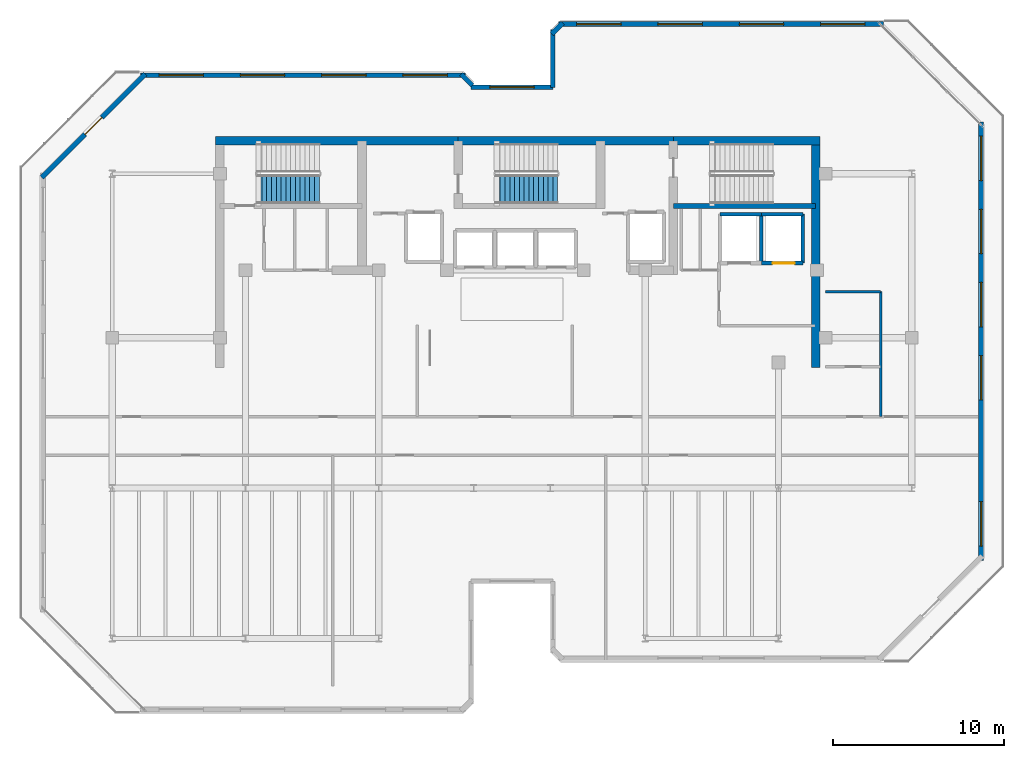
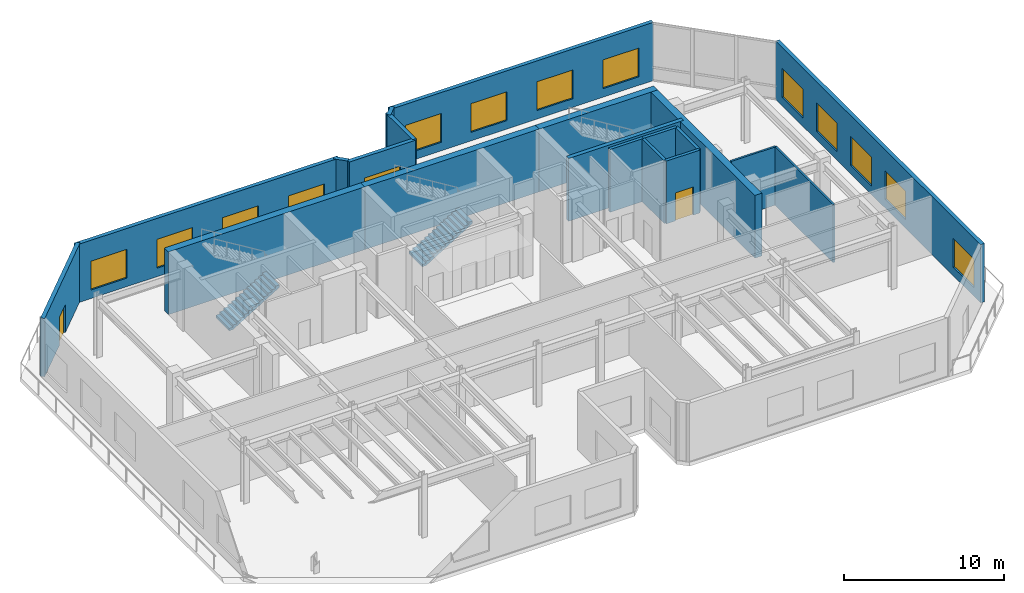
# One storey, part 8 of 12: 20 walls, 14 windows, 2 doors, 2 stair flights, 16 openings, 2 elements without a shape of their own.
"""IFC4 building model written with IfcOpenShell, lengths in metres."""

from ifc_helpers import new_model, si_unit, direction, frame, frame_2d, origin, place, context, subcontext, project, spatial, polyline, rectangle, outline, extrude, material, layer, layer_set, type_object, element, fill, aggregate, save


model = new_model("IFC4")

# Units and contexts
model_context = context("Model", 3, precision=1e-05, world=origin(), true_north=direction((0.0, 1.0)))
body_context = subcontext(model_context, "Body", "Model", "MODEL_VIEW")
ifc_project = project(units=[si_unit("LENGTHUNIT", "METRE"), si_unit("AREAUNIT", "SQUARE_METRE"), si_unit("VOLUMEUNIT", "CUBIC_METRE"), si_unit("PLANEANGLEUNIT", "RADIAN"), si_unit("MASSUNIT", "GRAM", prefix="KILO")], contexts=[model_context])

# Site, building, storey
site_placement = place(None, origin())
site = spatial("IfcSite", under=ifc_project, at=site_placement, CompositionType="ELEMENT")
building_placement = place(site_placement, origin())
building = spatial("IfcBuilding", under=site, at=building_placement, Name="Kestravale Grand Hotel", CompositionType="ELEMENT")
storey_placement = place(building_placement, frame((0.0, 0.0, 306.60009765625)))
storey = spatial("IfcBuildingStorey", under=building, at=storey_placement, Name="L76", CompositionType="ELEMENT", Elevation=306.60009765625)

# Walls
ifc_material_1 = material(Name="Concrete f'c 50 MPa", Category="concrete")
ifc_layer_1 = layer(ifc_material_1, 0.5)
ifc_layer_set_1 = layer_set([ifc_layer_1], Name="EW-CORE-500")
wall_type_1 = type_object("IfcWallType", Name="EW-CORE-500", PredefinedType="SHEAR", material=ifc_layer_set_1)
wall_1_placement = place(storey_placement, frame((21.64990234375, 40.320068359375, 0.0), z_axis=(0.0, 0.0, 1.0), x_axis=(1.0, 0.0, 0.0)))
element("IfcWall", 1, at=wall_1_placement, inside=storey, type_object=wall_type_1, Name="L76 core shear wall N1", PredefinedType="SHEAR", context=body_context, shape_type="SweptSolid", body=[
    extrude(rectangle(XDim=14.2001953125, YDim=0.5, at=frame_2d((7.10009765625, 0.0))), origin(), (0.0, 0.0, 1.0), 4.7998046875),
])
wall_2_placement = place(storey_placement, frame((35.85009765625, 40.320068359375, 0.0), z_axis=(0.0, 0.0, 1.0), x_axis=(1.0, 0.0, 0.0)))
element("IfcWall", 2, at=wall_2_placement, inside=storey, type_object=wall_type_1, Name="L76 core shear wall N2", PredefinedType="SHEAR", context=body_context, shape_type="SweptSolid", body=[
    extrude(rectangle(XDim=12.599853515625, YDim=0.5, at=frame_2d((6.2998046875, 0.0))), origin(), (0.0, 0.0, 1.0), 4.7998046875),
])
wall_3_placement = place(storey_placement, frame((48.449951171875, 40.320068359375, 0.0), z_axis=(0.0, 0.0, 1.0), x_axis=(1.0, 0.0, 0.0)))
element("IfcWall", 3, at=wall_3_placement, inside=storey, type_object=wall_type_1, Name="L76 core shear wall N3", PredefinedType="SHEAR", context=body_context, shape_type="SweptSolid", body=[
    extrude(rectangle(XDim=8.570068359375, YDim=0.5, at=frame_2d((4.28515625, 0.0))), origin(), (0.0, 0.0, 1.0), 4.7998046875),
])
wall_4_placement = place(storey_placement, frame((56.77001953125, 27.050048828125, 0.0), z_axis=(0.0, 0.0, 1.0), x_axis=(0.0, 1.0, 0.0)))
element("IfcWall", 4, at=wall_4_placement, inside=storey, type_object=wall_type_1, Name="L76 core shear wall E1", PredefinedType="SHEAR", context=body_context, shape_type="SweptSolid", body=[
    extrude(rectangle(XDim=13.52001953125, YDim=0.5, at=frame_2d((6.760009765625, 0.0))), origin(), (0.0, 0.0, 1.0), 4.7998046875),
])

# Wall, openings, windows
ifc_material_2 = material(Name="Precast concrete f'c 45 MPa", Category="concrete")
ifc_layer_2 = layer(ifc_material_2, 0.280029296875)
ifc_layer_set_2 = layer_set([ifc_layer_2], Name="EW-PREC-280")
wall_type_2 = type_object("IfcWallType", Name="EW-PREC-280", PredefinedType="SOLIDWALL", material=ifc_layer_set_2)
wall_5_placement = place(storey_placement, frame((66.4599609375, 15.760009765625, 0.0), z_axis=(0.0, 0.0, 1.0), x_axis=(0.0, 1.0, 0.0)))
wall_5 = element("IfcWall", 5, at=wall_5_placement, inside=storey, type_object=wall_type_2, Name="L76 fluted precast facade wall 9", PredefinedType="SOLIDWALL", context=body_context, shape_type="SweptSolid", body=[
    extrude(rectangle(XDim=25.679931640625, YDim=0.280029296875, at=frame_2d((12.83984375, 0.0))), origin(), (0.0, 0.0, 1.0), 4.449951171875),
])
opening_1_placement = place(wall_5_placement, frame((0.840087890625, 0.0, 0.64990234375)))
opening_1 = element("IfcOpeningElement", 6, at=opening_1_placement, cuts=wall_5, Name="Opening W-SKY-2600", PredefinedType="OPENING", context=body_context, shape_type="SweptSolid", body=[
    extrude(rectangle(XDim=2.60009765625, YDim=2.199951171875, at=frame_2d((1.300048828125, 1.10009765625))), frame((0.0, 0.14990234375, 0.0), z_axis=(0.0, -1.0, 0.0), x_axis=(1.0, 0.0, 0.0)), (0.0, 0.0, 1.0), 0.300048828125),
])
opening_2_placement = place(wall_5_placement, frame((9.39990234375, 0.0, 0.64990234375)))
opening_2 = element("IfcOpeningElement", 7, at=opening_2_placement, cuts=wall_5, Name="Opening W-SKY-2600", PredefinedType="OPENING", context=body_context, shape_type="SweptSolid", body=[
    extrude(rectangle(XDim=2.60009765625, YDim=2.199951171875, at=frame_2d((1.300048828125, 1.10009765625))), frame((0.0, 0.14990234375, 0.0), z_axis=(0.0, -1.0, 0.0), x_axis=(1.0, 0.0, 0.0)), (0.0, 0.0, 1.0), 0.300048828125),
])
opening_3_placement = place(wall_5_placement, frame((13.679931640625, 0.0, 0.64990234375)))
opening_3 = element("IfcOpeningElement", 8, at=opening_3_placement, cuts=wall_5, Name="Opening W-SKY-2600", PredefinedType="OPENING", context=body_context, shape_type="SweptSolid", body=[
    extrude(rectangle(XDim=2.60009765625, YDim=2.199951171875, at=frame_2d((1.300048828125, 1.10009765625))), frame((0.0, 0.14990234375, 0.0), z_axis=(0.0, -1.0, 0.0), x_axis=(1.0, 0.0, 0.0)), (0.0, 0.0, 1.0), 0.300048828125),
])
opening_4_placement = place(wall_5_placement, frame((17.9599609375, 0.0, 0.64990234375)))
opening_4 = element("IfcOpeningElement", 9, at=opening_4_placement, cuts=wall_5, Name="Opening W-SKY-2600", PredefinedType="OPENING", context=body_context, shape_type="SweptSolid", body=[
    extrude(rectangle(XDim=2.60009765625, YDim=2.199951171875, at=frame_2d((1.300048828125, 1.10009765625))), frame((0.0, 0.14990234375, 0.0), z_axis=(0.0, -1.0, 0.0), x_axis=(1.0, 0.0, 0.0)), (0.0, 0.0, 1.0), 0.300048828125),
])
opening_5_placement = place(wall_5_placement, frame((22.239990234375, 0.0, 0.64990234375)))
opening_5 = element("IfcOpeningElement", 10, at=opening_5_placement, cuts=wall_5, Name="Opening W-SKY-2600", PredefinedType="OPENING", context=body_context, shape_type="SweptSolid", body=[
    extrude(rectangle(XDim=2.60009765625, YDim=2.199951171875, at=frame_2d((1.300048828125, 1.10009765625))), frame((0.0, 0.14990234375, 0.0), z_axis=(0.0, -1.0, 0.0), x_axis=(1.0, 0.0, 0.0)), (0.0, 0.0, 1.0), 0.300048828125),
])
ifc_material_3 = material(Name="Insulated low-E double glazing in aluminium frame", Category="aluminium")
window_type = type_object("IfcWindowType", Name="W-SKY-2600", PartitioningType="TRIPLE_PANEL_VERTICAL", PredefinedType="WINDOW", material=ifc_material_3)
window_1_placement = place(opening_1_placement, origin())
window_1 = element("IfcWindow", 11, at=window_1_placement, inside=storey, type_object=window_type, Name="L76 exterior window 9.1", OverallHeight=2.199951171875, OverallWidth=2.60009765625, PartitioningType="SINGLE_PANEL", PredefinedType="WINDOW", context=body_context, shape_type="SweptSolid", body=[
    extrude(rectangle(XDim=2.60009765625, YDim=2.199951171875, at=frame_2d((1.300048828125, 1.10009765625))), frame((0.0, 0.030029296875, 0.0), z_axis=(0.0, -1.0, 0.0), x_axis=(1.0, 0.0, 0.0)), (0.0, 0.0, 1.0), 0.06005859375),
])
fill(opening_1, window_1)
window_2_placement = place(opening_2_placement, origin())
window_2 = element("IfcWindow", 12, at=window_2_placement, inside=storey, type_object=window_type, Name="L76 exterior window 9.2", OverallHeight=2.199951171875, OverallWidth=2.60009765625, PartitioningType="SINGLE_PANEL", PredefinedType="WINDOW", context=body_context, shape_type="SweptSolid", body=[
    extrude(rectangle(XDim=2.60009765625, YDim=2.199951171875, at=frame_2d((1.300048828125, 1.10009765625))), frame((0.0, 0.030029296875, 0.0), z_axis=(0.0, -1.0, 0.0), x_axis=(1.0, 0.0, 0.0)), (0.0, 0.0, 1.0), 0.06005859375),
])
fill(opening_2, window_2)
window_3_placement = place(opening_3_placement, origin())
window_3 = element("IfcWindow", 13, at=window_3_placement, inside=storey, type_object=window_type, Name="L76 exterior window 9.3", OverallHeight=2.199951171875, OverallWidth=2.60009765625, PartitioningType="SINGLE_PANEL", PredefinedType="WINDOW", context=body_context, shape_type="SweptSolid", body=[
    extrude(rectangle(XDim=2.60009765625, YDim=2.199951171875, at=frame_2d((1.300048828125, 1.10009765625))), frame((0.0, 0.030029296875, 0.0), z_axis=(0.0, -1.0, 0.0), x_axis=(1.0, 0.0, 0.0)), (0.0, 0.0, 1.0), 0.06005859375),
])
fill(opening_3, window_3)
window_4_placement = place(opening_4_placement, origin())
window_4 = element("IfcWindow", 14, at=window_4_placement, inside=storey, type_object=window_type, Name="L76 exterior window 9.4", OverallHeight=2.199951171875, OverallWidth=2.60009765625, PartitioningType="SINGLE_PANEL", PredefinedType="WINDOW", context=body_context, shape_type="SweptSolid", body=[
    extrude(rectangle(XDim=2.60009765625, YDim=2.199951171875, at=frame_2d((1.300048828125, 1.10009765625))), frame((0.0, 0.030029296875, 0.0), z_axis=(0.0, -1.0, 0.0), x_axis=(1.0, 0.0, 0.0)), (0.0, 0.0, 1.0), 0.06005859375),
])
fill(opening_4, window_4)
window_5_placement = place(opening_5_placement, origin())
window_5 = element("IfcWindow", 15, at=window_5_placement, inside=storey, type_object=window_type, Name="L76 exterior window 9.5", OverallHeight=2.199951171875, OverallWidth=2.60009765625, PartitioningType="SINGLE_PANEL", PredefinedType="WINDOW", context=body_context, shape_type="SweptSolid", body=[
    extrude(rectangle(XDim=2.60009765625, YDim=2.199951171875, at=frame_2d((1.300048828125, 1.10009765625))), frame((0.0, 0.030029296875, 0.0), z_axis=(0.0, -1.0, 0.0), x_axis=(1.0, 0.0, 0.0)), (0.0, 0.0, 1.0), 0.06005859375),
])
fill(opening_5, window_5)

wall_6_placement = place(storey_placement, frame((60.739990234375, 47.159912109375, 0.0), z_axis=(0.0, 0.0, 1.0), x_axis=(-1.0, 0.0, 0.0)))
wall_6 = element("IfcWall", 16, at=wall_6_placement, inside=storey, type_object=wall_type_2, Name="L76 fluted precast facade wall 11", PredefinedType="SOLIDWALL", context=body_context, shape_type="SweptSolid", body=[
    extrude(rectangle(XDim=19.030029296875, YDim=0.280029296875, at=frame_2d((9.51513671875, 0.0))), origin(), (0.0, 0.0, 1.0), 4.449951171875),
])
opening_6_placement = place(wall_6_placement, frame((1.078857421875, 0.0, 0.64990234375)))
opening_6 = element("IfcOpeningElement", 17, at=opening_6_placement, cuts=wall_6, Name="Opening W-SKY-2600", PredefinedType="OPENING", context=body_context, shape_type="SweptSolid", body=[
    extrude(rectangle(XDim=2.60009765625, YDim=2.199951171875, at=frame_2d((1.300048828125, 1.10009765625))), frame((0.0, 0.14990234375, 0.0), z_axis=(0.0, -1.0, 0.0), x_axis=(1.0, 0.0, 0.0)), (0.0, 0.0, 1.0), 0.300048828125),
])
opening_7_placement = place(wall_6_placement, frame((5.836181640625, 0.0, 0.64990234375)))
opening_7 = element("IfcOpeningElement", 18, at=opening_7_placement, cuts=wall_6, Name="Opening W-SKY-2600", PredefinedType="OPENING", context=body_context, shape_type="SweptSolid", body=[
    extrude(rectangle(XDim=2.60009765625, YDim=2.199951171875, at=frame_2d((1.300048828125, 1.10009765625))), frame((0.0, 0.14990234375, 0.0), z_axis=(0.0, -1.0, 0.0), x_axis=(1.0, 0.0, 0.0)), (0.0, 0.0, 1.0), 0.300048828125),
])
opening_8_placement = place(wall_6_placement, frame((10.59375, 0.0, 0.64990234375)))
opening_8 = element("IfcOpeningElement", 19, at=opening_8_placement, cuts=wall_6, Name="Opening W-SKY-2600", PredefinedType="OPENING", context=body_context, shape_type="SweptSolid", body=[
    extrude(rectangle(XDim=2.60009765625, YDim=2.199951171875, at=frame_2d((1.300048828125, 1.10009765625))), frame((0.0, 0.14990234375, 0.0), z_axis=(0.0, -1.0, 0.0), x_axis=(1.0, 0.0, 0.0)), (0.0, 0.0, 1.0), 0.300048828125),
])
opening_9_placement = place(wall_6_placement, frame((15.351318359375, 0.0, 0.64990234375)))
opening_9 = element("IfcOpeningElement", 20, at=opening_9_placement, cuts=wall_6, Name="Opening W-SKY-2600", PredefinedType="OPENING", context=body_context, shape_type="SweptSolid", body=[
    extrude(rectangle(XDim=2.60009765625, YDim=2.199951171875, at=frame_2d((1.300048828125, 1.10009765625))), frame((0.0, 0.14990234375, 0.0), z_axis=(0.0, -1.0, 0.0), x_axis=(1.0, 0.0, 0.0)), (0.0, 0.0, 1.0), 0.300048828125),
])
window_6_placement = place(opening_6_placement, origin())
window_6 = element("IfcWindow", 21, at=window_6_placement, inside=storey, type_object=window_type, Name="L76 exterior window 11.1", OverallHeight=2.199951171875, OverallWidth=2.60009765625, PartitioningType="SINGLE_PANEL", PredefinedType="WINDOW", context=body_context, shape_type="SweptSolid", body=[
    extrude(rectangle(XDim=2.60009765625, YDim=2.199951171875, at=frame_2d((1.300048828125, 1.10009765625))), frame((0.0, 0.030029296875, 0.0), z_axis=(0.0, -1.0, 0.0), x_axis=(1.0, 0.0, 0.0)), (0.0, 0.0, 1.0), 0.06005859375),
])
fill(opening_6, window_6)
window_7_placement = place(opening_7_placement, origin())
window_7 = element("IfcWindow", 22, at=window_7_placement, inside=storey, type_object=window_type, Name="L76 exterior window 11.2", OverallHeight=2.199951171875, OverallWidth=2.60009765625, PartitioningType="SINGLE_PANEL", PredefinedType="WINDOW", context=body_context, shape_type="SweptSolid", body=[
    extrude(rectangle(XDim=2.60009765625, YDim=2.199951171875, at=frame_2d((1.300048828125, 1.10009765625))), frame((0.0, 0.030029296875, 0.0), z_axis=(0.0, -1.0, 0.0), x_axis=(1.0, 0.0, 0.0)), (0.0, 0.0, 1.0), 0.06005859375),
])
fill(opening_7, window_7)
window_8_placement = place(opening_8_placement, origin())
window_8 = element("IfcWindow", 23, at=window_8_placement, inside=storey, type_object=window_type, Name="L76 exterior window 11.3", OverallHeight=2.199951171875, OverallWidth=2.60009765625, PartitioningType="SINGLE_PANEL", PredefinedType="WINDOW", context=body_context, shape_type="SweptSolid", body=[
    extrude(rectangle(XDim=2.60009765625, YDim=2.199951171875, at=frame_2d((1.300048828125, 1.10009765625))), frame((0.0, 0.030029296875, 0.0), z_axis=(0.0, -1.0, 0.0), x_axis=(1.0, 0.0, 0.0)), (0.0, 0.0, 1.0), 0.06005859375),
])
fill(opening_8, window_8)
window_9_placement = place(opening_9_placement, origin())
window_9 = element("IfcWindow", 24, at=window_9_placement, inside=storey, type_object=window_type, Name="L76 exterior window 11.4", OverallHeight=2.199951171875, OverallWidth=2.60009765625, PartitioningType="SINGLE_PANEL", PredefinedType="WINDOW", context=body_context, shape_type="SweptSolid", body=[
    extrude(rectangle(XDim=2.60009765625, YDim=2.199951171875, at=frame_2d((1.300048828125, 1.10009765625))), frame((0.0, 0.030029296875, 0.0), z_axis=(0.0, -1.0, 0.0), x_axis=(1.0, 0.0, 0.0)), (0.0, 0.0, 1.0), 0.06005859375),
])
fill(opening_9, window_9)

# Walls
wall_7_placement = place(storey_placement, frame((41.977294921875, 47.229248046875, 0.0), z_axis=(0.0, 0.0, 1.0), x_axis=(-0.707106781187, -0.707106781187, 0.0)))
element("IfcWall", 25, at=wall_7_placement, inside=storey, type_object=wall_type_2, Name="L76 fluted precast facade wall 12", PredefinedType="SOLIDWALL", context=body_context, shape_type="SweptSolid", body=[
    extrude(rectangle(XDim=0.928466796875, YDim=0.280029296875, at=frame_2d((0.46435546875, 0.0))), origin(), (0.0, 0.0, 1.0), 4.449951171875),
])
wall_8_placement = place(storey_placement, frame((41.389892578125, 46.840087890625, 0.0), z_axis=(0.0, 0.0, 1.0), x_axis=(0.0, -1.0, 0.0)))
element("IfcWall", 26, at=wall_8_placement, inside=storey, type_object=wall_type_2, Name="L76 fluted precast facade wall 13", PredefinedType="SOLIDWALL", context=body_context, shape_type="SweptSolid", body=[
    extrude(rectangle(XDim=3.380126953125, YDim=0.280029296875, at=frame_2d((1.68994140625, 0.0))), origin(), (0.0, 0.0, 1.0), 4.449951171875),
])

# Wall, opening, window
wall_9_placement = place(storey_placement, frame((41.389892578125, 43.4599609375, 0.0), z_axis=(0.0, 0.0, 1.0), x_axis=(-1.0, 0.0, 0.0)))
wall_9 = element("IfcWall", 27, at=wall_9_placement, inside=storey, type_object=wall_type_2, Name="L76 fluted precast facade wall 14", PredefinedType="SOLIDWALL", context=body_context, shape_type="SweptSolid", body=[
    extrude(rectangle(XDim=4.77978515625, YDim=0.280029296875, at=frame_2d((2.389892578125, 0.0))), origin(), (0.0, 0.0, 1.0), 4.449951171875),
])
opening_10_placement = place(wall_9_placement, frame((1.090087890625, 0.0, 0.64990234375)))
opening_10 = element("IfcOpeningElement", 28, at=opening_10_placement, cuts=wall_9, Name="Opening W-SKY-2600", PredefinedType="OPENING", context=body_context, shape_type="SweptSolid", body=[
    extrude(rectangle(XDim=2.60009765625, YDim=2.199951171875, at=frame_2d((1.300048828125, 1.10009765625))), frame((0.0, 0.14990234375, 0.0), z_axis=(0.0, -1.0, 0.0), x_axis=(1.0, 0.0, 0.0)), (0.0, 0.0, 1.0), 0.300048828125),
])
window_10_placement = place(opening_10_placement, origin())
window_10 = element("IfcWindow", 29, at=window_10_placement, inside=storey, type_object=window_type, Name="L76 exterior window 14.1", OverallHeight=2.199951171875, OverallWidth=2.60009765625, PartitioningType="SINGLE_PANEL", PredefinedType="WINDOW", context=body_context, shape_type="SweptSolid", body=[
    extrude(rectangle(XDim=2.60009765625, YDim=2.199951171875, at=frame_2d((1.300048828125, 1.10009765625))), frame((0.0, 0.030029296875, 0.0), z_axis=(0.0, -1.0, 0.0), x_axis=(1.0, 0.0, 0.0)), (0.0, 0.0, 1.0), 0.06005859375),
])
fill(opening_10, window_10)

# Wall
wall_10_placement = place(storey_placement, frame((36.67919921875, 43.57275390625, 0.0), z_axis=(0.0, 0.0, 1.0), x_axis=(-0.707106781187, 0.707106781187, 0.0)))
element("IfcWall", 30, at=wall_10_placement, inside=storey, type_object=wall_type_2, Name="L76 fluted precast facade wall 16", PredefinedType="SOLIDWALL", context=body_context, shape_type="SweptSolid", body=[
    extrude(rectangle(XDim=0.928466796875, YDim=0.280029296875, at=frame_2d((0.46435546875, 0.0))), origin(), (0.0, 0.0, 1.0), 4.449951171875),
])

# Wall, openings, windows
wall_11_placement = place(storey_placement, frame((36.2900390625, 44.159912109375, 0.0), z_axis=(0.0, 0.0, 1.0), x_axis=(-1.0, 0.0, 0.0)))
wall_11 = element("IfcWall", 31, at=wall_11_placement, inside=storey, type_object=wall_type_2, Name="L76 fluted precast facade wall 17", PredefinedType="SOLIDWALL", context=body_context, shape_type="SweptSolid", body=[
    extrude(rectangle(XDim=19.030029296875, YDim=0.280029296875, at=frame_2d((9.51513671875, 0.0))), origin(), (0.0, 0.0, 1.0), 4.449951171875),
])
opening_11_placement = place(wall_11_placement, frame((1.07861328125, 0.0, 0.64990234375)))
opening_11 = element("IfcOpeningElement", 32, at=opening_11_placement, cuts=wall_11, Name="Opening W-SKY-2600", PredefinedType="OPENING", context=body_context, shape_type="SweptSolid", body=[
    extrude(rectangle(XDim=2.60009765625, YDim=2.199951171875, at=frame_2d((1.300048828125, 1.10009765625))), frame((0.0, 0.14990234375, 0.0), z_axis=(0.0, -1.0, 0.0), x_axis=(1.0, 0.0, 0.0)), (0.0, 0.0, 1.0), 0.300048828125),
])
opening_12_placement = place(wall_11_placement, frame((5.836181640625, 0.0, 0.64990234375)))
opening_12 = element("IfcOpeningElement", 33, at=opening_12_placement, cuts=wall_11, Name="Opening W-SKY-2600", PredefinedType="OPENING", context=body_context, shape_type="SweptSolid", body=[
    extrude(rectangle(XDim=2.60009765625, YDim=2.199951171875, at=frame_2d((1.300048828125, 1.10009765625))), frame((0.0, 0.14990234375, 0.0), z_axis=(0.0, -1.0, 0.0), x_axis=(1.0, 0.0, 0.0)), (0.0, 0.0, 1.0), 0.300048828125),
])
opening_13_placement = place(wall_11_placement, frame((10.59375, 0.0, 0.64990234375)))
opening_13 = element("IfcOpeningElement", 34, at=opening_13_placement, cuts=wall_11, Name="Opening W-SKY-2600", PredefinedType="OPENING", context=body_context, shape_type="SweptSolid", body=[
    extrude(rectangle(XDim=2.60009765625, YDim=2.199951171875, at=frame_2d((1.300048828125, 1.10009765625))), frame((0.0, 0.14990234375, 0.0), z_axis=(0.0, -1.0, 0.0), x_axis=(1.0, 0.0, 0.0)), (0.0, 0.0, 1.0), 0.300048828125),
])
opening_14_placement = place(wall_11_placement, frame((15.351318359375, 0.0, 0.64990234375)))
opening_14 = element("IfcOpeningElement", 35, at=opening_14_placement, cuts=wall_11, Name="Opening W-SKY-2600", PredefinedType="OPENING", context=body_context, shape_type="SweptSolid", body=[
    extrude(rectangle(XDim=2.60009765625, YDim=2.199951171875, at=frame_2d((1.300048828125, 1.10009765625))), frame((0.0, 0.14990234375, 0.0), z_axis=(0.0, -1.0, 0.0), x_axis=(1.0, 0.0, 0.0)), (0.0, 0.0, 1.0), 0.300048828125),
])
window_11_placement = place(opening_11_placement, origin())
window_11 = element("IfcWindow", 36, at=window_11_placement, inside=storey, type_object=window_type, Name="L76 exterior window 17.1", OverallHeight=2.199951171875, OverallWidth=2.60009765625, PartitioningType="SINGLE_PANEL", PredefinedType="WINDOW", context=body_context, shape_type="SweptSolid", body=[
    extrude(rectangle(XDim=2.60009765625, YDim=2.199951171875, at=frame_2d((1.300048828125, 1.10009765625))), frame((0.0, 0.030029296875, 0.0), z_axis=(0.0, -1.0, 0.0), x_axis=(1.0, 0.0, 0.0)), (0.0, 0.0, 1.0), 0.06005859375),
])
fill(opening_11, window_11)
window_12_placement = place(opening_12_placement, origin())
window_12 = element("IfcWindow", 37, at=window_12_placement, inside=storey, type_object=window_type, Name="L76 exterior window 17.2", OverallHeight=2.199951171875, OverallWidth=2.60009765625, PartitioningType="SINGLE_PANEL", PredefinedType="WINDOW", context=body_context, shape_type="SweptSolid", body=[
    extrude(rectangle(XDim=2.60009765625, YDim=2.199951171875, at=frame_2d((1.300048828125, 1.10009765625))), frame((0.0, 0.030029296875, 0.0), z_axis=(0.0, -1.0, 0.0), x_axis=(1.0, 0.0, 0.0)), (0.0, 0.0, 1.0), 0.06005859375),
])
fill(opening_12, window_12)
window_13_placement = place(opening_13_placement, origin())
window_13 = element("IfcWindow", 38, at=window_13_placement, inside=storey, type_object=window_type, Name="L76 exterior window 17.3", OverallHeight=2.199951171875, OverallWidth=2.60009765625, PartitioningType="SINGLE_PANEL", PredefinedType="WINDOW", context=body_context, shape_type="SweptSolid", body=[
    extrude(rectangle(XDim=2.60009765625, YDim=2.199951171875, at=frame_2d((1.300048828125, 1.10009765625))), frame((0.0, 0.030029296875, 0.0), z_axis=(0.0, -1.0, 0.0), x_axis=(1.0, 0.0, 0.0)), (0.0, 0.0, 1.0), 0.06005859375),
])
fill(opening_13, window_13)
window_14_placement = place(opening_14_placement, origin())
window_14 = element("IfcWindow", 39, at=window_14_placement, inside=storey, type_object=window_type, Name="L76 exterior window 17.4", OverallHeight=2.199951171875, OverallWidth=2.60009765625, PartitioningType="SINGLE_PANEL", PredefinedType="WINDOW", context=body_context, shape_type="SweptSolid", body=[
    extrude(rectangle(XDim=2.60009765625, YDim=2.199951171875, at=frame_2d((1.300048828125, 1.10009765625))), frame((0.0, 0.030029296875, 0.0), z_axis=(0.0, -1.0, 0.0), x_axis=(1.0, 0.0, 0.0)), (0.0, 0.0, 1.0), 0.06005859375),
])
fill(opening_14, window_14)

# Wall, opening, door
wall_12_placement = place(storey_placement, frame((17.52734375, 44.229248046875, 0.0), z_axis=(0.0, 0.0, 1.0), x_axis=(-0.707106781187, -0.707106781187, 0.0)))
wall_12 = element("IfcWall", 40, at=wall_12_placement, inside=storey, type_object=wall_type_2, Name="L76 fluted precast facade wall 18", PredefinedType="SOLIDWALL", context=body_context, shape_type="SweptSolid", body=[
    extrude(rectangle(XDim=8.5654296875, YDim=0.280029296875, at=frame_2d((4.28271484375, 0.0))), origin(), (0.0, 0.0, 1.0), 4.449951171875),
])
opening_15_placement = place(wall_12_placement, frame((3.582763671875, 0.0, 0.0)))
opening_15 = element("IfcOpeningElement", 41, at=opening_15_placement, cuts=wall_12, Name="Opening D-TERR-1400", PredefinedType="OPENING", context=body_context, shape_type="SweptSolid", body=[
    extrude(rectangle(XDim=1.39990234375, YDim=2.14990234375, at=frame_2d((0.699951171875, 1.074951171875))), frame((0.0, 0.14990234375, 0.0), z_axis=(0.0, -1.0, 0.0), x_axis=(1.0, 0.0, 0.0)), (0.0, 0.0, 1.0), 0.300048828125),
])
ifc_material_4 = material(Name="Insulated glazed champagne-bronze aluminium door", Category="aluminium")
door_type_1 = type_object("IfcDoorType", Name="D-TERR-1400", OperationType="NOTDEFINED", PredefinedType="DOOR", material=ifc_material_4)
door_1_placement = place(opening_15_placement, origin())
door_1 = element("IfcDoor", 42, at=door_1_placement, inside=storey, type_object=door_type_1, Name="L76 outdoor garden terrace door", OperationType="DOUBLE_DOOR_SINGLE_SWING", OverallHeight=2.14990234375, OverallWidth=1.39990234375, PredefinedType="DOOR", context=body_context, shape_type="SweptSolid", body=[
    extrude(rectangle(XDim=1.39990234375, YDim=2.14990234375, at=frame_2d((0.699951171875, 1.074951171875))), frame((0.0, 0.02490234375, 0.0), z_axis=(0.0, -1.0, 0.0), x_axis=(1.0, 0.0, 0.0)), (0.0, 0.0, 1.0), 0.050048828125),
])
fill(opening_15, door_1)

# Walls
ifc_material_5 = material(Name="Concrete f'c 45 MPa", Category="concrete")
ifc_layer_3 = layer(ifc_material_5, 0.300048828125)
ifc_layer_set_3 = layer_set([ifc_layer_3], Name="EW-STAIR-300")
wall_type_3 = type_object("IfcWallType", Name="EW-STAIR-300", PredefinedType="SHEAR", material=ifc_layer_set_3)
wall_13_placement = place(storey_placement, frame((48.449951171875, 36.52001953125, 0.0), z_axis=(0.0, 0.0, 1.0), x_axis=(1.0, 0.0, 0.0)))
element("IfcWall", 43, at=wall_13_placement, inside=storey, type_object=wall_type_3, Name="L76 stair enclosure shear wall SST3", PredefinedType="SHEAR", context=body_context, shape_type="SweptSolid", body=[
    extrude(rectangle(XDim=8.320068359375, YDim=0.300048828125, at=frame_2d((4.16015625, 0.0))), origin(), (0.0, 0.0, 1.0), 4.7998046875),
])
ifc_material_6 = material(Name="Moisture-resistant tile-backer plumbing chase wall", Category="other")
ifc_layer_4 = layer(ifc_material_6, 0.139892578125)
ifc_layer_set_4 = layer_set([ifc_layer_4], Name="IW-PLB-140")
wall_type_4 = type_object("IfcWallType", Name="IW-PLB-140", PredefinedType="PLUMBINGWALL", material=ifc_layer_set_4)
wall_14_placement = place(storey_placement, frame((60.580078125, 24.179931640625, 0.0), z_axis=(0.0, 0.0, 1.0), x_axis=(0.0, 1.0, 0.0)))
element("IfcWall", 44, at=wall_14_placement, inside=storey, type_object=wall_type_4, Name="W-L76-NEV", PredefinedType="PLUMBINGWALL", context=body_context, shape_type="SweptSolid", body=[
    extrude(rectangle(XDim=7.320068359375, YDim=0.139892578125, at=frame_2d((3.66015625, 0.0))), origin(), (0.0, 0.0, 1.0), 4.449951171875),
])
wall_15_placement = place(storey_placement, frame((57.35009765625, 31.5, 0.0), z_axis=(0.0, 0.0, 1.0), x_axis=(1.0, 0.0, 0.0)))
element("IfcWall", 45, at=wall_15_placement, inside=storey, type_object=wall_type_4, Name="W-L76-NE2", PredefinedType="PLUMBINGWALL", context=body_context, shape_type="SweptSolid", body=[
    extrude(rectangle(XDim=3.22998046875, YDim=0.139892578125, at=frame_2d((1.614990234375, 0.0))), origin(), (0.0, 0.0, 1.0), 4.449951171875),
])
ifc_material_7 = material(Name="Concrete f'c 45 MPa", Category="concrete")
ifc_layer_5 = layer(ifc_material_7, 0.199951171875)
ifc_layer_set_5 = layer_set([ifc_layer_5], Name="IW-SHAFT-200")
wall_type_5 = type_object("IfcWallType", Name="IW-SHAFT-200", PredefinedType="SHEAR", material=ifc_layer_set_5)
for number, where, z_axis, x_axis, name in (
    (46, (53.60009765625, 33.169921875, 0.0), (0.0, 0.0, 1.0), (0.0, 1.0, 0.0), "L76 SL-2 west shaft wall"),
    (47, (56.02001953125, 33.169921875, 0.0), (0.0, 0.0, 1.0), (0.0, 1.0, 0.0), "L76 SL-2 east shaft wall"),
):
    element("IfcWall", number, at=place(storey_placement, frame(where, z_axis=z_axis, x_axis=x_axis)), inside=storey, type_object=wall_type_5, Name=name, PredefinedType="SHEAR", context=body_context, shape_type="SweptSolid", body=[
        extrude(rectangle(XDim=2.860107421875, YDim=0.199951171875, at=frame_2d((1.43017578125, 0.0))), origin(), (0.0, 0.0, 1.0), 4.7998046875),
    ])
ifc_material_8 = material(Name="Concrete f'c 45 MPa", Category="concrete")
ifc_layer_6 = layer(ifc_material_8, 0.219970703125)
ifc_layer_set_6 = layer_set([ifc_layer_6], Name="IW-SHAFT-220")
wall_type_6 = type_object("IfcWallType", Name="IW-SHAFT-220", PredefinedType="SHEAR", material=ifc_layer_set_6)
wall_16_placement = place(storey_placement, frame((51.179931640625, 36.030029296875, 0.0), z_axis=(0.0, 0.0, 1.0), x_axis=(1.0, 0.0, 0.0)))
element("IfcWall", 48, at=wall_16_placement, inside=storey, type_object=wall_type_6, Name="L76 SL-1 north shaft wall", PredefinedType="SHEAR", context=body_context, shape_type="SweptSolid", body=[
    extrude(rectangle(XDim=2.420166015625, YDim=0.219970703125, at=frame_2d((1.2099609375, 0.0))), origin(), (0.0, 0.0, 1.0), 4.7998046875),
])
wall_17_placement = place(storey_placement, frame((53.60009765625, 36.030029296875, 0.0), z_axis=(0.0, 0.0, 1.0), x_axis=(1.0, 0.0, 0.0)))
element("IfcWall", 49, at=wall_17_placement, inside=storey, type_object=wall_type_6, Name="L76 SL-2 north shaft wall", PredefinedType="SHEAR", context=body_context, shape_type="SweptSolid", body=[
    extrude(rectangle(XDim=2.419921875, YDim=0.219970703125, at=frame_2d((1.2099609375, 0.0))), origin(), (0.0, 0.0, 1.0), 4.7998046875),
])

# Wall, opening, door
wall_18_placement = place(storey_placement, frame((53.60009765625, 33.169921875, 0.0), z_axis=(0.0, 0.0, 1.0), x_axis=(1.0, 0.0, 0.0)))
wall_18 = element("IfcWall", 50, at=wall_18_placement, inside=storey, type_object=wall_type_6, Name="L76 SL-2 south shaft wall", PredefinedType="SHEAR", context=body_context, shape_type="SweptSolid", body=[
    extrude(rectangle(XDim=2.419921875, YDim=0.219970703125, at=frame_2d((1.2099609375, 0.0))), origin(), (0.0, 0.0, 1.0), 4.7998046875),
])
opening_16_placement = place(wall_18_placement, frame((0.64990234375, 0.0, 0.0)))
opening_16 = element("IfcOpeningElement", 51, at=opening_16_placement, cuts=wall_18, Name="Opening LD-SVC-1300", PredefinedType="OPENING", context=body_context, shape_type="SweptSolid", body=[
    extrude(rectangle(XDim=1.300048828125, YDim=2.14990234375, at=frame_2d((0.64990234375, 1.074951171875))), frame((0.0, 0.119873046875, 0.0), z_axis=(0.0, -1.0, 0.0), x_axis=(1.0, 0.0, 0.0)), (0.0, 0.0, 1.0), 0.239990234375),
])
ifc_material_9 = material(Name="Heavy-duty service sliding elevator landing door", Category="steel")
door_type_2 = type_object("IfcDoorType", Name="LD-SVC-1300", OperationType="NOTDEFINED", PredefinedType="DOOR", material=ifc_material_9)
door_2_placement = place(opening_16_placement, origin())
door_2 = element("IfcDoor", 52, at=door_2_placement, inside=storey, type_object=door_type_2, Name="L76 SL-2 elevator landing sliding door", OperationType="DOUBLE_DOOR_SLIDING", OverallHeight=2.14990234375, OverallWidth=1.300048828125, PredefinedType="DOOR", context=body_context, shape_type="SweptSolid", body=[
    extrude(rectangle(XDim=1.300048828125, YDim=2.14990234375, at=frame_2d((0.64990234375, 1.074951171875))), frame((0.0, 0.02490234375, 0.0), z_axis=(0.0, -1.0, 0.0), x_axis=(1.0, 0.0, 0.0)), (0.0, 0.0, 1.0), 0.050048828125),
])
fill(opening_16, door_2)

# Stair, stair flight
ifc_material_10 = material(Name="Concrete f'c 45 MPa", Category="concrete")
stair_type = type_object("IfcStairType", Name="ST-CORE-480", PredefinedType="HALF_TURN_STAIR", material=ifc_material_10)
stair_1_placement = place(storey_placement, origin())
stair_1 = element("IfcStair", 53, at=stair_1_placement, inside=storey, type_object=stair_type, Name="L76 ST-1", PredefinedType="HALF_TURN_STAIR")
ifc_material_11 = material(Name="Concrete f'c 45 MPa", Category="concrete")
stair_flight_type = type_object("IfcStairFlightType", Name="STF-CORE-480", PredefinedType="STRAIGHT", material=ifc_material_11)
stair_flight_1_placement = place(storey_placement, frame((24.080078125, 37.489990234375, 0.0), z_axis=(0.0, 0.0, 1.0), x_axis=(1.0, 0.0, 0.0)))
stair_flight_1 = element("IfcStairFlight", 54, at=stair_flight_1_placement, type_object=stair_flight_type, Name="ST-1 flight 1", NumberOfRisers=14, NumberOfTreads=13, PredefinedType="STRAIGHT", RiserHeight=0.171428571, TreadLength=0.28, context=body_context, shape_type="SweptSolid", body=[
    extrude(outline(polyline([(0.0, 0.0), (0.0, 0.17138671875), (0.280029296875, 0.17138671875), (0.280029296875, 0.3427734375), (0.56005859375, 0.3427734375), (0.56005859375, 0.514404296875), (0.840087890625, 0.514404296875), (0.840087890625, 0.685791015625), (1.1201171875, 0.685791015625), (1.1201171875, 0.857177734375), (1.39990234375, 0.857177734375), (1.39990234375, 1.028564453125), (1.679931640625, 1.028564453125), (1.679931640625, 1.199951171875), (1.9599609375, 1.199951171875), (1.9599609375, 1.371337890625), (2.239990234375, 1.371337890625), (2.239990234375, 1.54296875), (2.52001953125, 1.54296875), (2.52001953125, 1.71435546875), (2.800048828125, 1.71435546875), (2.800048828125, 1.8857421875), (3.080078125, 1.8857421875), (3.080078125, 2.05712890625), (3.360107421875, 2.05712890625), (3.360107421875, 2.228515625), (3.639892578125, 2.228515625), (3.639892578125, 2.39990234375), (3.639892578125, 2.052734375), (0.287109375, 0.0), (0.0, 0.0)])), frame((0.0, 0.83984375, 0.0), z_axis=(0.0, -1.0, 0.0), x_axis=(1.0, 0.0, 0.0)), (0.0, 0.0, 1.0), 1.679931640625),
])
aggregate(stair_1, [stair_flight_1])

stair_2_placement = place(storey_placement, origin())
stair_2 = element("IfcStair", 55, at=stair_2_placement, inside=storey, type_object=stair_type, Name="L76 ST-2", PredefinedType="HALF_TURN_STAIR")
stair_flight_2_placement = place(storey_placement, frame((38.030029296875, 37.489990234375, 0.0), z_axis=(0.0, 0.0, 1.0), x_axis=(1.0, 0.0, 0.0)))
stair_flight_2 = element("IfcStairFlight", 56, at=stair_flight_2_placement, type_object=stair_flight_type, Name="ST-2 flight 1", NumberOfRisers=14, NumberOfTreads=13, PredefinedType="STRAIGHT", RiserHeight=0.171428571, TreadLength=0.28, context=body_context, shape_type="SweptSolid", body=[
    extrude(outline(polyline([(0.0, 0.0), (0.0, 0.17138671875), (0.280029296875, 0.17138671875), (0.280029296875, 0.3427734375), (0.56005859375, 0.3427734375), (0.56005859375, 0.514404296875), (0.840087890625, 0.514404296875), (0.840087890625, 0.685791015625), (1.1201171875, 0.685791015625), (1.1201171875, 0.857177734375), (1.39990234375, 0.857177734375), (1.39990234375, 1.028564453125), (1.679931640625, 1.028564453125), (1.679931640625, 1.199951171875), (1.9599609375, 1.199951171875), (1.9599609375, 1.371337890625), (2.239990234375, 1.371337890625), (2.239990234375, 1.54296875), (2.52001953125, 1.54296875), (2.52001953125, 1.71435546875), (2.800048828125, 1.71435546875), (2.800048828125, 1.8857421875), (3.080078125, 1.8857421875), (3.080078125, 2.05712890625), (3.360107421875, 2.05712890625), (3.360107421875, 2.228515625), (3.639892578125, 2.228515625), (3.639892578125, 2.39990234375), (3.639892578125, 2.052734375), (0.287109375, 0.0), (0.0, 0.0)])), frame((0.0, 0.83984375, 0.0), z_axis=(0.0, -1.0, 0.0), x_axis=(1.0, 0.0, 0.0)), (0.0, 0.0, 1.0), 1.679931640625),
])
aggregate(stair_2, [stair_flight_2])

save(model, "model.ifc")
